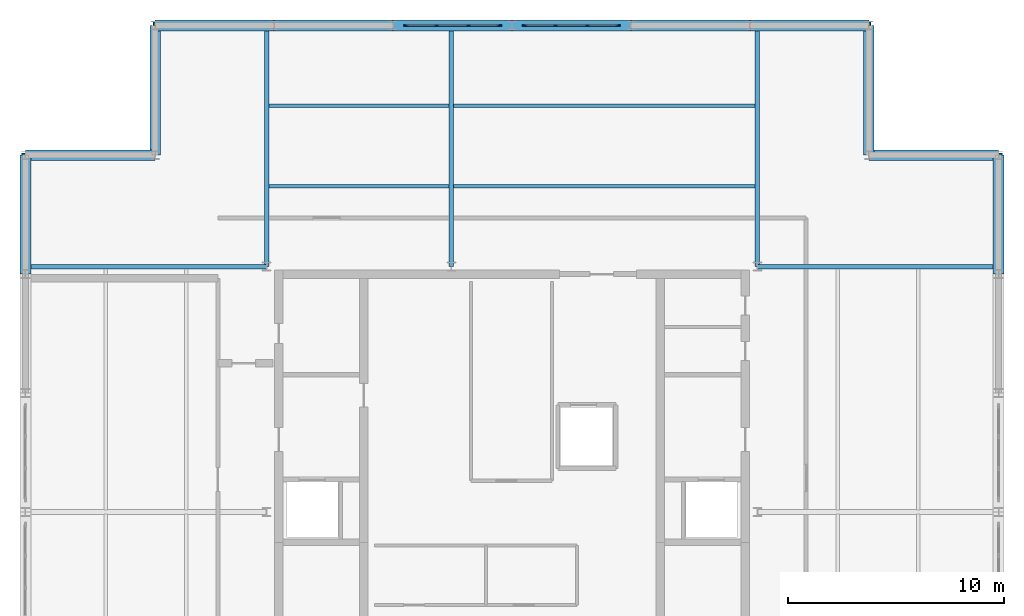
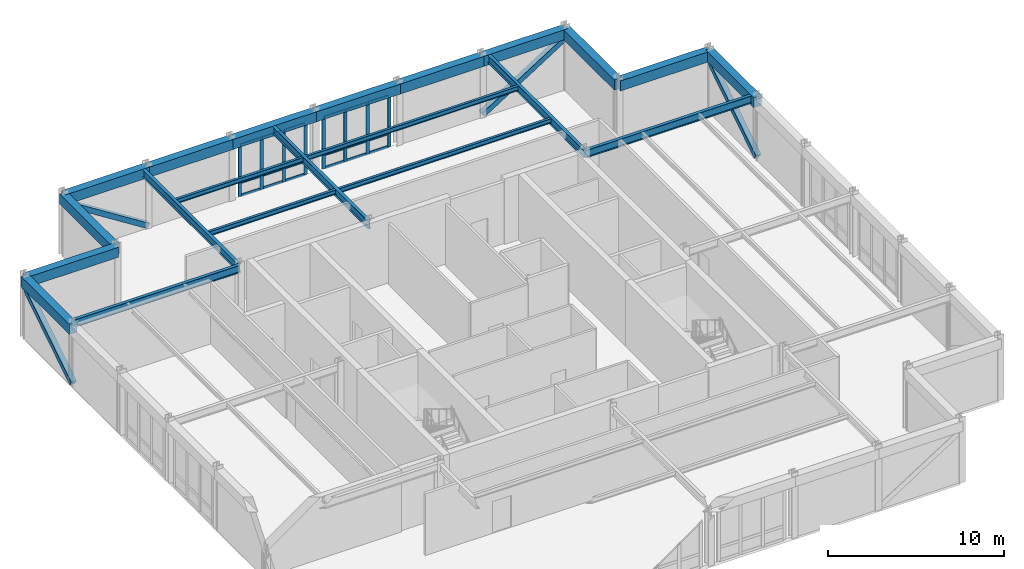
# One storey, part 5 of 9: 30 members, 21 beams, 2 elements without a shape of their own.
"""IFC4 building model written with IfcOpenShell, lengths in metres."""

from ifc_helpers import new_model, si_unit, direction, frame, origin, origin_2d, place, context, subcontext, project, spatial, rectangle, hollow_rectangle, i_section, extrude, material, layer, layer_set, material_profile, profile_set, type_object, element, aggregate, save


model = new_model("IFC4")

# Units and contexts
model_context = context("Model", 3, precision=1e-05, world=origin(), true_north=direction((0.0, 1.0)))
body_context = subcontext(model_context, "Body", "Model", "MODEL_VIEW")
ifc_project = project(units=[si_unit("LENGTHUNIT", "METRE"), si_unit("AREAUNIT", "SQUARE_METRE"), si_unit("VOLUMEUNIT", "CUBIC_METRE"), si_unit("PLANEANGLEUNIT", "RADIAN"), si_unit("MASSUNIT", "GRAM", prefix="KILO")], contexts=[model_context])

# Site, building, storey
site_placement = place(None, origin())
site = spatial("IfcSite", under=ifc_project, at=site_placement, CompositionType="ELEMENT")
building_placement = place(site_placement, origin())
building = spatial("IfcBuilding", under=site, at=building_placement, Name="Nhamokura Convention Tower", CompositionType="ELEMENT")
storey_placement = place(building_placement, frame((0.0, 0.0, 322.35009765625)))
storey = spatial("IfcBuildingStorey", under=building, at=storey_placement, Name="L79", CompositionType="ELEMENT", Elevation=322.35009765625)

# Curtain wall, members
ifc_material_1 = material(Name="Anodised bronze aluminium AA6063-T6", Category="aluminium")
ifc_layer = layer(ifc_material_1, 0.2099609375)
ifc_layer_set = layer_set([ifc_layer], Name="CWSystem_SlantedCrown")
curtain_wall_type = type_object("IfcCurtainWallType", Name="CWSystem_SlantedCrown", PredefinedType="NOTDEFINED", material=ifc_layer_set)
curtain_wall_1_placement = place(storey_placement, origin())
curtain_wall_1 = element("IfcCurtainWall", 1, at=curtain_wall_1_placement, inside=storey, type_object=curtain_wall_type, Name="L79 Curtain Wall ENV-L79-CRCW-N2", PredefinedType="NOTDEFINED")
ifc_material_2 = material(Name="Anodised bronze aluminium AA6063-T6", Category="aluminium")
ifc_material_profile_1 = material_profile(ifc_material_2, rectangle(XDim=0.080078125, YDim=0.2099609375, at=origin_2d()))
ifc_profile_set_1 = profile_set([ifc_material_profile_1], Name="Anodised bronze aluminium AA6063-T6")
member_type_1 = type_object("IfcMemberType", Name="CWMullion_4", PredefinedType="MULLION", material=ifc_profile_set_1)
member_1_placement = place(storey_placement, frame((27.090087890625, 54.5, 0.0), z_axis=(0.0, 0.0, 1.0), x_axis=(0.0, 1.0, 0.0)))
member_1 = element("IfcMember", 2, at=member_1_placement, type_object=member_type_1, Name="CW-07 mullion 1", PredefinedType="MULLION", context=body_context, shape_type="SweptSolid", body=[
    extrude(rectangle(XDim=0.080078125, YDim=0.2099609375, at=origin_2d()), origin(), (0.0, 0.0, 1.0), 3.56982421875),
])
member_2_placement = place(storey_placement, frame((28.5166015625, 54.5, 0.0), z_axis=(0.0, 0.0, 1.0), x_axis=(0.0, 1.0, 0.0)))
member_2 = element("IfcMember", 3, at=member_2_placement, type_object=member_type_1, Name="CW-07 mullion 2", PredefinedType="MULLION", context=body_context, shape_type="SweptSolid", body=[
    extrude(rectangle(XDim=0.080078125, YDim=0.2099609375, at=origin_2d()), origin(), (0.0, 0.0, 1.0), 3.56982421875),
])
member_3_placement = place(storey_placement, frame((29.9833984375, 54.5, 0.0), z_axis=(0.0, 0.0, 1.0), x_axis=(0.0, 1.0, 0.0)))
member_3 = element("IfcMember", 4, at=member_3_placement, type_object=member_type_1, Name="CW-07 mullion 3", PredefinedType="MULLION", context=body_context, shape_type="SweptSolid", body=[
    extrude(rectangle(XDim=0.080078125, YDim=0.2099609375, at=origin_2d()), origin(), (0.0, 0.0, 1.0), 3.56982421875),
])
member_4_placement = place(storey_placement, frame((31.409912109375, 54.5, 0.0), z_axis=(0.0, 0.0, 1.0), x_axis=(0.0, 1.0, 0.0)))
member_4 = element("IfcMember", 5, at=member_4_placement, type_object=member_type_1, Name="CW-07 mullion 4", PredefinedType="MULLION", context=body_context, shape_type="SweptSolid", body=[
    extrude(rectangle(XDim=0.080078125, YDim=0.2099609375, at=origin_2d()), origin(), (0.0, 0.0, 1.0), 3.56982421875),
])

curtain_wall_2_placement = place(storey_placement, origin())
curtain_wall_2 = element("IfcCurtainWall", 6, at=curtain_wall_2_placement, inside=storey, type_object=curtain_wall_type, Name="L79 Curtain Wall ENV-L79-CRCW-N3", PredefinedType="NOTDEFINED")
member_5_placement = place(storey_placement, frame((32.590087890625, 54.5, 0.0), z_axis=(0.0, 0.0, 1.0), x_axis=(0.0, 1.0, 0.0)))
member_5 = element("IfcMember", 7, at=member_5_placement, type_object=member_type_1, Name="CW-07 mullion 1", PredefinedType="MULLION", context=body_context, shape_type="SweptSolid", body=[
    extrude(rectangle(XDim=0.080078125, YDim=0.2099609375, at=origin_2d()), origin(), (0.0, 0.0, 1.0), 3.56982421875),
])
member_6_placement = place(storey_placement, frame((34.0166015625, 54.5, 0.0), z_axis=(0.0, 0.0, 1.0), x_axis=(0.0, 1.0, 0.0)))
member_6 = element("IfcMember", 8, at=member_6_placement, type_object=member_type_1, Name="CW-07 mullion 2", PredefinedType="MULLION", context=body_context, shape_type="SweptSolid", body=[
    extrude(rectangle(XDim=0.080078125, YDim=0.2099609375, at=origin_2d()), origin(), (0.0, 0.0, 1.0), 3.56982421875),
])
member_7_placement = place(storey_placement, frame((35.4833984375, 54.5, 0.0), z_axis=(0.0, 0.0, 1.0), x_axis=(0.0, 1.0, 0.0)))
member_7 = element("IfcMember", 9, at=member_7_placement, type_object=member_type_1, Name="CW-07 mullion 3", PredefinedType="MULLION", context=body_context, shape_type="SweptSolid", body=[
    extrude(rectangle(XDim=0.080078125, YDim=0.2099609375, at=origin_2d()), origin(), (0.0, 0.0, 1.0), 3.56982421875),
])
member_8_placement = place(storey_placement, frame((36.909912109375, 54.5, 0.0), z_axis=(0.0, 0.0, 1.0), x_axis=(0.0, 1.0, 0.0)))
member_8 = element("IfcMember", 10, at=member_8_placement, type_object=member_type_1, Name="CW-07 mullion 4", PredefinedType="MULLION", context=body_context, shape_type="SweptSolid", body=[
    extrude(rectangle(XDim=0.080078125, YDim=0.2099609375, at=origin_2d()), origin(), (0.0, 0.0, 1.0), 3.56982421875),
])

# Member
ifc_material_3 = material(Name="Anodised bronze aluminium AA6063-T6", Category="aluminium")
ifc_material_profile_2 = material_profile(ifc_material_3, rectangle(XDim=0.080078125, YDim=0.18505859375, at=origin_2d()))
ifc_profile_set_2 = profile_set([ifc_material_profile_2], Name="Anodised bronze aluminium AA6063-T6")
member_type_2 = type_object("IfcMemberType", Name="CWTransom_4", PredefinedType="USERDEFINED", material=ifc_profile_set_2)
member_9_placement = place(storey_placement, frame((27.1298828125, 54.5, 0.039794921875), z_axis=(1.0, 0.0, 0.0), x_axis=(0.0, 1.0, 0.0)))
member_9 = element("IfcMember", 11, at=member_9_placement, type_object=member_type_2, Name="CW-07 transom 1.1", ObjectType="TRANSOM", PredefinedType="USERDEFINED", context=body_context, shape_type="SweptSolid", body=[
    extrude(rectangle(XDim=0.080078125, YDim=0.18505859375, at=origin_2d()), origin(), (0.0, 0.0, 1.0), 1.3466796875),
])

member_10_placement = place(storey_placement, frame((27.1298828125, 54.5, 0.949951171875), z_axis=(1.0, 0.0, 0.0), x_axis=(0.0, 1.0, 0.0)))
member_10 = element("IfcMember", 12, at=member_10_placement, type_object=member_type_2, Name="CW-07 transom 1.2", ObjectType="TRANSOM", PredefinedType="USERDEFINED", context=body_context, shape_type="SweptSolid", body=[
    extrude(rectangle(XDim=0.080078125, YDim=0.18505859375, at=origin_2d()), origin(), (0.0, 0.0, 1.0), 1.3466796875),
])

member_11_placement = place(storey_placement, frame((27.1298828125, 54.5, 3.52978515625), z_axis=(1.0, 0.0, 0.0), x_axis=(0.0, 1.0, 0.0)))
member_11 = element("IfcMember", 13, at=member_11_placement, type_object=member_type_2, Name="CW-07 transom 1.3", ObjectType="TRANSOM", PredefinedType="USERDEFINED", context=body_context, shape_type="SweptSolid", body=[
    extrude(rectangle(XDim=0.080078125, YDim=0.18505859375, at=origin_2d()), origin(), (0.0, 0.0, 1.0), 1.3466796875),
])

member_12_placement = place(storey_placement, frame((28.556640625, 54.5, 0.039794921875), z_axis=(1.0, 0.0, 0.0), x_axis=(0.0, 1.0, 0.0)))
member_12 = element("IfcMember", 14, at=member_12_placement, type_object=member_type_2, Name="CW-07 transom 2.1", ObjectType="TRANSOM", PredefinedType="USERDEFINED", context=body_context, shape_type="SweptSolid", body=[
    extrude(rectangle(XDim=0.080078125, YDim=0.18505859375, at=origin_2d()), origin(), (0.0, 0.0, 1.0), 1.38671875),
])

member_13_placement = place(storey_placement, frame((28.556640625, 54.5, 0.949951171875), z_axis=(1.0, 0.0, 0.0), x_axis=(0.0, 1.0, 0.0)))
member_13 = element("IfcMember", 15, at=member_13_placement, type_object=member_type_2, Name="CW-07 transom 2.2", ObjectType="TRANSOM", PredefinedType="USERDEFINED", context=body_context, shape_type="SweptSolid", body=[
    extrude(rectangle(XDim=0.080078125, YDim=0.18505859375, at=origin_2d()), origin(), (0.0, 0.0, 1.0), 1.38671875),
])

member_14_placement = place(storey_placement, frame((28.556640625, 54.5, 3.52978515625), z_axis=(1.0, 0.0, 0.0), x_axis=(0.0, 1.0, 0.0)))
member_14 = element("IfcMember", 16, at=member_14_placement, type_object=member_type_2, Name="CW-07 transom 2.3", ObjectType="TRANSOM", PredefinedType="USERDEFINED", context=body_context, shape_type="SweptSolid", body=[
    extrude(rectangle(XDim=0.080078125, YDim=0.18505859375, at=origin_2d()), origin(), (0.0, 0.0, 1.0), 1.38671875),
])

member_15_placement = place(storey_placement, frame((30.0234375, 54.5, 0.039794921875), z_axis=(1.0, 0.0, 0.0), x_axis=(0.0, 1.0, 0.0)))
member_15 = element("IfcMember", 17, at=member_15_placement, type_object=member_type_2, Name="CW-07 transom 3.1", ObjectType="TRANSOM", PredefinedType="USERDEFINED", context=body_context, shape_type="SweptSolid", body=[
    extrude(rectangle(XDim=0.080078125, YDim=0.18505859375, at=origin_2d()), origin(), (0.0, 0.0, 1.0), 1.3466796875),
])

member_16_placement = place(storey_placement, frame((30.0234375, 54.5, 0.949951171875), z_axis=(1.0, 0.0, 0.0), x_axis=(0.0, 1.0, 0.0)))
member_16 = element("IfcMember", 18, at=member_16_placement, type_object=member_type_2, Name="CW-07 transom 3.2", ObjectType="TRANSOM", PredefinedType="USERDEFINED", context=body_context, shape_type="SweptSolid", body=[
    extrude(rectangle(XDim=0.080078125, YDim=0.18505859375, at=origin_2d()), origin(), (0.0, 0.0, 1.0), 1.3466796875),
])

member_17_placement = place(storey_placement, frame((30.0234375, 54.5, 3.52978515625), z_axis=(1.0, 0.0, 0.0), x_axis=(0.0, 1.0, 0.0)))
member_17 = element("IfcMember", 19, at=member_17_placement, type_object=member_type_2, Name="CW-07 transom 3.3", ObjectType="TRANSOM", PredefinedType="USERDEFINED", context=body_context, shape_type="SweptSolid", body=[
    extrude(rectangle(XDim=0.080078125, YDim=0.18505859375, at=origin_2d()), origin(), (0.0, 0.0, 1.0), 1.3466796875),
])

aggregate(curtain_wall_1, [member_1, member_2, member_3, member_4, member_9, member_10, member_11, member_12, member_13, member_14, member_15, member_16, member_17])

member_18_placement = place(storey_placement, frame((32.6298828125, 54.5, 0.039794921875), z_axis=(1.0, 0.0, 0.0), x_axis=(0.0, 1.0, 0.0)))
member_18 = element("IfcMember", 20, at=member_18_placement, type_object=member_type_2, Name="CW-07 transom 1.1", ObjectType="TRANSOM", PredefinedType="USERDEFINED", context=body_context, shape_type="SweptSolid", body=[
    extrude(rectangle(XDim=0.080078125, YDim=0.18505859375, at=origin_2d()), origin(), (0.0, 0.0, 1.0), 1.3466796875),
])

member_19_placement = place(storey_placement, frame((32.6298828125, 54.5, 0.949951171875), z_axis=(1.0, 0.0, 0.0), x_axis=(0.0, 1.0, 0.0)))
member_19 = element("IfcMember", 21, at=member_19_placement, type_object=member_type_2, Name="CW-07 transom 1.2", ObjectType="TRANSOM", PredefinedType="USERDEFINED", context=body_context, shape_type="SweptSolid", body=[
    extrude(rectangle(XDim=0.080078125, YDim=0.18505859375, at=origin_2d()), origin(), (0.0, 0.0, 1.0), 1.3466796875),
])

member_20_placement = place(storey_placement, frame((32.6298828125, 54.5, 3.52978515625), z_axis=(1.0, 0.0, 0.0), x_axis=(0.0, 1.0, 0.0)))
member_20 = element("IfcMember", 22, at=member_20_placement, type_object=member_type_2, Name="CW-07 transom 1.3", ObjectType="TRANSOM", PredefinedType="USERDEFINED", context=body_context, shape_type="SweptSolid", body=[
    extrude(rectangle(XDim=0.080078125, YDim=0.18505859375, at=origin_2d()), origin(), (0.0, 0.0, 1.0), 1.3466796875),
])

member_21_placement = place(storey_placement, frame((34.056640625, 54.5, 0.039794921875), z_axis=(1.0, 0.0, 0.0), x_axis=(0.0, 1.0, 0.0)))
member_21 = element("IfcMember", 23, at=member_21_placement, type_object=member_type_2, Name="CW-07 transom 2.1", ObjectType="TRANSOM", PredefinedType="USERDEFINED", context=body_context, shape_type="SweptSolid", body=[
    extrude(rectangle(XDim=0.080078125, YDim=0.18505859375, at=origin_2d()), origin(), (0.0, 0.0, 1.0), 1.38671875),
])

member_22_placement = place(storey_placement, frame((34.056640625, 54.5, 0.949951171875), z_axis=(1.0, 0.0, 0.0), x_axis=(0.0, 1.0, 0.0)))
member_22 = element("IfcMember", 24, at=member_22_placement, type_object=member_type_2, Name="CW-07 transom 2.2", ObjectType="TRANSOM", PredefinedType="USERDEFINED", context=body_context, shape_type="SweptSolid", body=[
    extrude(rectangle(XDim=0.080078125, YDim=0.18505859375, at=origin_2d()), origin(), (0.0, 0.0, 1.0), 1.38671875),
])

member_23_placement = place(storey_placement, frame((34.056640625, 54.5, 3.52978515625), z_axis=(1.0, 0.0, 0.0), x_axis=(0.0, 1.0, 0.0)))
member_23 = element("IfcMember", 25, at=member_23_placement, type_object=member_type_2, Name="CW-07 transom 2.3", ObjectType="TRANSOM", PredefinedType="USERDEFINED", context=body_context, shape_type="SweptSolid", body=[
    extrude(rectangle(XDim=0.080078125, YDim=0.18505859375, at=origin_2d()), origin(), (0.0, 0.0, 1.0), 1.38671875),
])

member_24_placement = place(storey_placement, frame((35.5234375, 54.5, 0.039794921875), z_axis=(1.0, 0.0, 0.0), x_axis=(0.0, 1.0, 0.0)))
member_24 = element("IfcMember", 26, at=member_24_placement, type_object=member_type_2, Name="CW-07 transom 3.1", ObjectType="TRANSOM", PredefinedType="USERDEFINED", context=body_context, shape_type="SweptSolid", body=[
    extrude(rectangle(XDim=0.080078125, YDim=0.18505859375, at=origin_2d()), origin(), (0.0, 0.0, 1.0), 1.3466796875),
])

member_25_placement = place(storey_placement, frame((35.5234375, 54.5, 0.949951171875), z_axis=(1.0, 0.0, 0.0), x_axis=(0.0, 1.0, 0.0)))
member_25 = element("IfcMember", 27, at=member_25_placement, type_object=member_type_2, Name="CW-07 transom 3.2", ObjectType="TRANSOM", PredefinedType="USERDEFINED", context=body_context, shape_type="SweptSolid", body=[
    extrude(rectangle(XDim=0.080078125, YDim=0.18505859375, at=origin_2d()), origin(), (0.0, 0.0, 1.0), 1.3466796875),
])

member_26_placement = place(storey_placement, frame((35.5234375, 54.5, 3.52978515625), z_axis=(1.0, 0.0, 0.0), x_axis=(0.0, 1.0, 0.0)))
member_26 = element("IfcMember", 28, at=member_26_placement, type_object=member_type_2, Name="CW-07 transom 3.3", ObjectType="TRANSOM", PredefinedType="USERDEFINED", context=body_context, shape_type="SweptSolid", body=[
    extrude(rectangle(XDim=0.080078125, YDim=0.18505859375, at=origin_2d()), origin(), (0.0, 0.0, 1.0), 1.3466796875),
])

aggregate(curtain_wall_2, [member_5, member_6, member_7, member_8, member_18, member_19, member_20, member_21, member_22, member_23, member_24, member_25, member_26])

# Beams
ifc_material_4 = material(Name="Steel ASTM A992 Gr 50", Category="steel")
ifc_material_profile_3 = material_profile(ifc_material_4, i_section(OverallWidth=0.166015625, OverallDepth=0.31298828125, WebThickness=0.006591796875, FlangeThickness=0.01123046875, at=origin_2d()))
ifc_profile_set_3 = profile_set([ifc_material_profile_3], Name="Steel ASTM A992 Gr 50")
beam_type_1 = type_object("IfcBeamType", Name="FloorJoist_W310X45", PredefinedType="JOIST", material=ifc_profile_set_3)
beam_1_placement = place(storey_placement, frame((20.75244140625, 47.066650390625, 4.13330078125), z_axis=(1.0, 0.0, 0.0), x_axis=(0.0, 1.0, 0.0)))
element("IfcBeam", 29, at=beam_1_placement, inside=storey, type_object=beam_type_1, Name="L79 Composite Floor Joist N1A", PredefinedType="JOIST", context=body_context, shape_type="SweptSolid", body=[
    extrude(i_section(OverallWidth=0.166015625, OverallDepth=0.31298828125, WebThickness=0.006591796875, FlangeThickness=0.01123046875, at=origin_2d()), origin(), (0.0, 0.0, 1.0), 8.344970703125),
])
beam_2_placement = place(storey_placement, frame((29.302490234375, 47.066650390625, 4.13330078125), z_axis=(1.0, 0.0, 0.0), x_axis=(0.0, 1.0, 0.0)))
element("IfcBeam", 30, at=beam_2_placement, inside=storey, type_object=beam_type_1, Name="L79 Composite Floor Joist N1B", PredefinedType="JOIST", context=body_context, shape_type="SweptSolid", body=[
    extrude(i_section(OverallWidth=0.166015625, OverallDepth=0.31298828125, WebThickness=0.006591796875, FlangeThickness=0.01123046875, at=origin_2d()), origin(), (0.0, 0.0, 1.0), 13.945068359375),
])
beam_3_placement = place(storey_placement, frame((20.75244140625, 50.783203125, 4.13330078125), z_axis=(1.0, 0.0, 0.0), x_axis=(0.0, 1.0, 0.0)))
element("IfcBeam", 31, at=beam_3_placement, inside=storey, type_object=beam_type_1, Name="L79 Composite Floor Joist N2A", PredefinedType="JOIST", context=body_context, shape_type="SweptSolid", body=[
    extrude(i_section(OverallWidth=0.166015625, OverallDepth=0.31298828125, WebThickness=0.006591796875, FlangeThickness=0.01123046875, at=origin_2d()), origin(), (0.0, 0.0, 1.0), 8.344970703125),
])
beam_4_placement = place(storey_placement, frame((29.302490234375, 50.783203125, 4.13330078125), z_axis=(1.0, 0.0, 0.0), x_axis=(0.0, 1.0, 0.0)))
element("IfcBeam", 32, at=beam_4_placement, inside=storey, type_object=beam_type_1, Name="L79 Composite Floor Joist N2B", PredefinedType="JOIST", context=body_context, shape_type="SweptSolid", body=[
    extrude(i_section(OverallWidth=0.166015625, OverallDepth=0.31298828125, WebThickness=0.006591796875, FlangeThickness=0.01123046875, at=origin_2d()), origin(), (0.0, 0.0, 1.0), 13.945068359375),
])
ifc_material_5 = material(Name="Steel ASTM A992 Gr 50", Category="steel")
ifc_material_profile_4 = material_profile(ifc_material_5, i_section(OverallWidth=0.208984375, OverallDepth=0.532958984375, WebThickness=0.01025390625, FlangeThickness=0.015625, at=origin_2d()))
ifc_profile_set_4 = profile_set([ifc_material_profile_4], Name="Steel ASTM A992 Gr 50")
beam_type_2 = type_object("IfcBeamType", Name="PrimaryGirder_W530X92", PredefinedType="BEAM", material=ifc_profile_set_4)
for number, where, z_axis, x_axis, name in (
    (33, (20.64990234375, 43.35009765625, 4.0234375), (0.0, 1.0, 0.0), (-1.0, 0.0, 0.0), "L79 Primary Floor Girder PG-N1"),
    (34, (29.199951171875, 43.35009765625, 4.0234375), (0.0, 1.0, 0.0), (-1.0, 0.0, 0.0), "L79 Primary Floor Girder PG-N2"),
    (35, (43.35009765625, 43.35009765625, 4.0234375), (0.0, 1.0, 0.0), (-1.0, 0.0, 0.0), "L79 Primary Floor Girder PG-N3"),
    (36, (9.5, 43.35009765625, 4.0234375), (1.0, 0.0, 0.0), (0.0, 1.0, 0.0), "L79 Primary Floor Girder PG-W3"),
    (37, (43.35009765625, 43.35009765625, 4.0234375), (1.0, 0.0, 0.0), (0.0, 1.0, 0.0), "L79 Primary Floor Girder PG-E3"),
):
    element("IfcBeam", number, at=place(storey_placement, frame(where, z_axis=z_axis, x_axis=x_axis)), inside=storey, type_object=beam_type_2, Name=name, PredefinedType="BEAM", context=body_context, shape_type="SweptSolid", body=[
        extrude(i_section(OverallWidth=0.208984375, OverallDepth=0.532958984375, WebThickness=0.01025390625, FlangeThickness=0.015625, at=origin_2d()), origin(), (0.0, 0.0, 1.0), 11.14990234375),
    ])

# Members
ifc_material_6 = material(Name="Steel ASTM A572 Gr 50", Category="steel")
ifc_material_profile_5 = material_profile(ifc_material_6, hollow_rectangle(XDim=0.35009765625, YDim=0.35009765625, WallThickness=0.01611328125, at=origin_2d()))
ifc_profile_set_5 = profile_set([ifc_material_profile_5], Name="Steel ASTM A572 Gr 50")
member_type_3 = type_object("IfcMemberType", Name="TubeBrace_HSS350", PredefinedType="BRACE", material=ifc_profile_set_5)
for number, where, z_axis, x_axis, name in (
    (38, (21.0, 54.5, 0.14990234375), (-0.84435681045, 0.0, 0.535781276872), (0.0, -1.0, 0.0), "L79 Perimeter Tube Brace NORTH Bay 0"),
    (39, (43.0, 54.5, 0.14990234375), (0.84435681045, 0.0, 0.535781276872), (0.0, 1.0, 0.0), "L79 Perimeter Tube Brace NORTH Bay 5"),
    (40, (9.5, 43.0, 0.14990234375), (0.0, 0.84435681045, 0.535781276872), (-1.0, 0.0, 0.0), "L79 Perimeter Tube Brace WEST Bay 5"),
    (41, (54.5, 43.0, 0.14990234375), (0.0, 0.84435681045, 0.535781276872), (-1.0, 0.0, 0.0), "L79 Perimeter Tube Brace EAST Bay 5"),
):
    element("IfcMember", number, at=place(storey_placement, frame(where, z_axis=z_axis, x_axis=x_axis)), inside=storey, type_object=member_type_3, Name=name, PredefinedType="BRACE", context=body_context, shape_type="SweptSolid", body=[
        extrude(hollow_rectangle(XDim=0.35009765625, YDim=0.35009765625, WallThickness=0.01611328125, at=origin_2d()), origin(), (0.0, 0.0, 1.0), 6.513916015625),
    ])

# Beams
ifc_material_7 = material(Name="Concrete C50/60", Category="concrete")
ifc_material_profile_6 = material_profile(ifc_material_7, rectangle(XDim=0.5, YDim=0.699951171875, at=origin_2d()))
ifc_profile_set_6 = profile_set([ifc_material_profile_6], Name="Concrete C50/60")
beam_type_3 = type_object("IfcBeamType", Name="TubeSpandrel_700", PredefinedType="SPANDREL", material=ifc_profile_set_6)
for number, where, z_axis, x_axis, name in (
    (42, (15.5, 54.5, 3.93994140625), (1.0, 0.0, 0.0), (0.0, 1.0, 0.0), "L79 Perimeter Spandrel NORTH 1"),
    (43, (21.0, 54.5, 3.93994140625), (1.0, 0.0, 0.0), (0.0, 1.0, 0.0), "L79 Perimeter Spandrel NORTH 2"),
    (44, (26.5, 54.5, 3.93994140625), (1.0, 0.0, 0.0), (0.0, 1.0, 0.0), "L79 Perimeter Spandrel NORTH 3"),
    (45, (32.0, 54.5, 3.93994140625), (1.0, 0.0, 0.0), (0.0, 1.0, 0.0), "L79 Perimeter Spandrel NORTH 4"),
    (46, (37.5, 54.5, 3.93994140625), (1.0, 0.0, 0.0), (0.0, 1.0, 0.0), "L79 Perimeter Spandrel NORTH 5"),
    (47, (43.0, 54.5, 3.93994140625), (1.0, 0.0, 0.0), (0.0, 1.0, 0.0), "L79 Perimeter Spandrel NORTH 6"),
    (48, (9.5, 43.0, 3.93994140625), (0.0, 1.0, 0.0), (-1.0, 0.0, 0.0), "L79 Perimeter Spandrel WEST 6"),
    (49, (54.5, 43.0, 3.93994140625), (0.0, 1.0, 0.0), (-1.0, 0.0, 0.0), "L79 Perimeter Spandrel EAST 6"),
):
    element("IfcBeam", number, at=place(storey_placement, frame(where, z_axis=z_axis, x_axis=x_axis)), inside=storey, type_object=beam_type_3, Name=name, PredefinedType="SPANDREL", context=body_context, shape_type="SweptSolid", body=[
        extrude(rectangle(XDim=0.5, YDim=0.699951171875, at=origin_2d()), origin(), (0.0, 0.0, 1.0), 5.5),
    ])
for number, where, z_axis, x_axis, name in (
    (50, (54.5, 48.5, 3.93994140625), (-1.0, 0.0, 0.0), (0.0, -1.0, 0.0), "L79 Notch Spandrel NE1"),
    (51, (48.5, 48.5, 3.93994140625), (0.0, 1.0, 0.0), (-1.0, 0.0, 0.0), "L79 Notch Spandrel NE2"),
    (52, (15.5, 54.5, 3.93994140625), (0.0, -1.0, 0.0), (1.0, 0.0, 0.0), "L79 Notch Spandrel NW1"),
    (53, (15.5, 48.5, 3.93994140625), (-1.0, 0.0, 0.0), (0.0, -1.0, 0.0), "L79 Notch Spandrel NW2"),
):
    element("IfcBeam", number, at=place(storey_placement, frame(where, z_axis=z_axis, x_axis=x_axis)), inside=storey, type_object=beam_type_3, Name=name, PredefinedType="SPANDREL", context=body_context, shape_type="SweptSolid", body=[
        extrude(rectangle(XDim=0.5, YDim=0.699951171875, at=origin_2d()), origin(), (0.0, 0.0, 1.0), 6.0),
    ])

save(model, "model.ifc")
